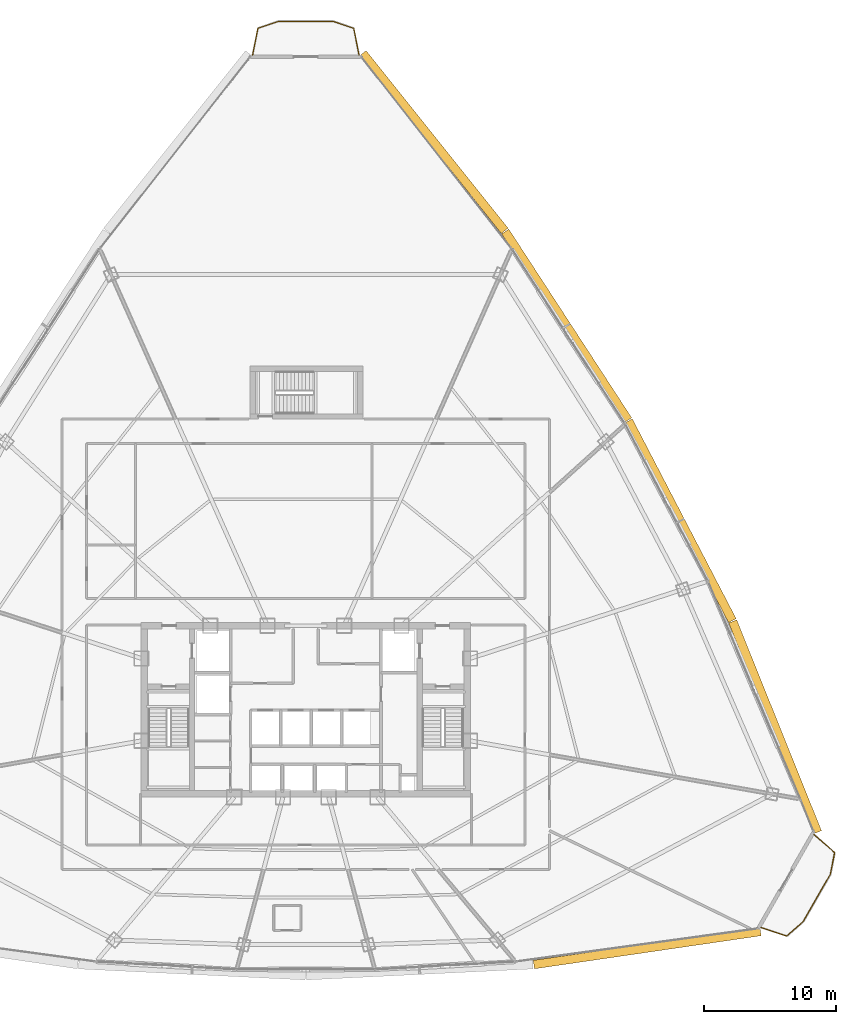
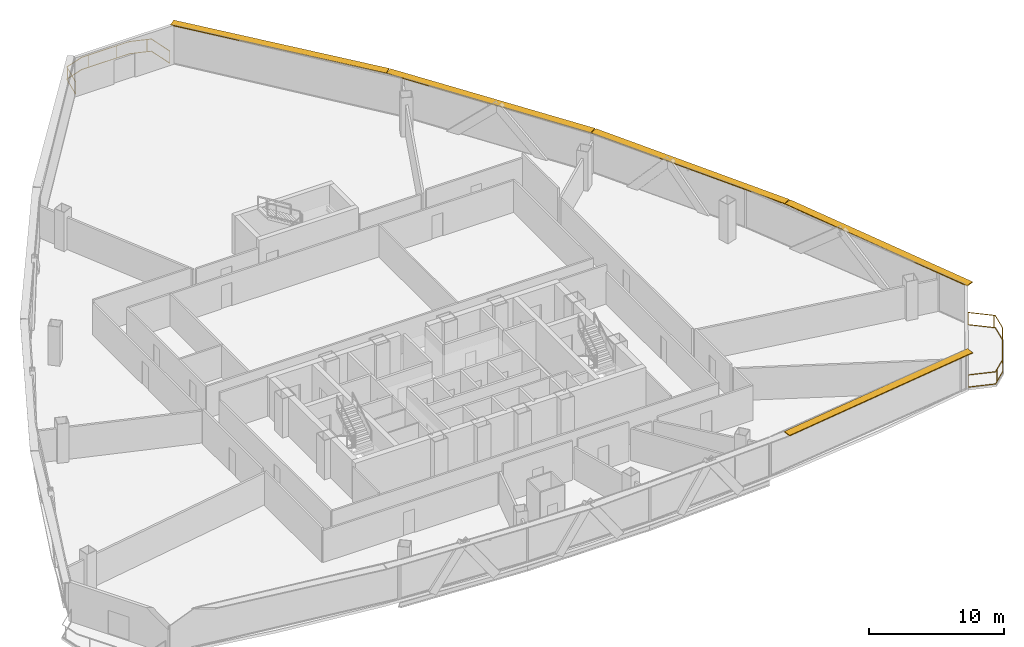
# One storey, part 37 of 37: 5 shading devices, 2 railings.
"""IFC4 building model written with IfcOpenShell, lengths in metres."""

from ifc_helpers import new_model, si_unit, direction, frame, origin, origin_2d, place, context, subcontext, project, spatial, rectangle, extrude, source, transform, mapped, material, layer, layer_set, type_object, element, save


model = new_model("IFC4")

# Units and contexts
model_context = context("Model", 3, precision=1e-05, world=origin(), true_north=direction((0.0, 1.0)))
body_context = subcontext(model_context, "Body", "Model", "MODEL_VIEW")
ifc_project = project(units=[si_unit("LENGTHUNIT", "METRE"), si_unit("AREAUNIT", "SQUARE_METRE"), si_unit("VOLUMEUNIT", "CUBIC_METRE"), si_unit("PLANEANGLEUNIT", "RADIAN"), si_unit("MASSUNIT", "GRAM", prefix="KILO"), si_unit("THERMODYNAMICTEMPERATUREUNIT", "KELVIN"), si_unit("POWERUNIT", "WATT")], contexts=[model_context])

# Site, building, storey
site_placement = place(None, origin())
site = spatial("IfcSite", under=ifc_project, at=site_placement, CompositionType="ELEMENT")
building_placement = place(site_placement, origin())
building = spatial("IfcBuilding", under=site, at=building_placement, Name="Yunzhuo Pagoda Commons", CompositionType="ELEMENT")
storey_placement = place(building_placement, frame((0.0, 0.0, 196.159912109375)))
storey = spatial("IfcBuildingStorey", under=building, at=storey_placement, Name="L49", CompositionType="ELEMENT", Elevation=196.159912109375)

# Railings
ifc_material = material(Name="Anodized aluminium 6063-T6", Category="aluminium")
railing_type = type_object("IfcRailingType", Name="RL-BAL1 Exterior Terrace & Balcony Balustrade 1150", PredefinedType="BALUSTRADE", material=ifc_material)
railing_1_placement = place(storey_placement, frame((82.3671875, 17.419677734375, 0.0)))
element("IfcRailing", 1, at=railing_1_placement, inside=storey, type_object=railing_type, Name="L49 corner balcony balustrade V2", PredefinedType="BALUSTRADE", context=body_context, shape_type="SweptSolid", body=[
    extrude(rectangle(XDim=0.048095703125, YDim=0.048095703125, at=origin_2d()), frame((0.0, 0.0, 1.1259765625), z_axis=(0.947419062147, -0.319995501031, 0.0), x_axis=(0.319995501031, 0.947419062147, 0.0)), (0.0, 0.0, 1.0), 2.05908203125),
    extrude(rectangle(XDim=0.048095703125, YDim=0.048095703125, at=origin_2d()), frame((0.0, 0.0, 0.02392578125), z_axis=(0.947419062147, -0.319995501031, 0.0), x_axis=(0.319995501031, 0.947419062147, 0.0)), (0.0, 0.0, 1.0), 2.05908203125),
    extrude(rectangle(XDim=0.048095703125, YDim=0.048095703125, at=origin_2d()), frame((1.950927734375, -0.658935546875, 1.1259765625), z_axis=(0.748072290348, 0.663617245416, 0.0), x_axis=(-0.663617245416, 0.748072290348, 0.0)), (0.0, 0.0, 1.0), 1.6650390625),
    extrude(rectangle(XDim=0.048095703125, YDim=0.048095703125, at=origin_2d()), frame((1.950927734375, -0.658935546875, 0.02392578125), z_axis=(0.748072290348, 0.663617245416, 0.0), x_axis=(-0.663617245416, 0.748072290348, 0.0)), (0.0, 0.0, 1.0), 1.6650390625),
    extrude(rectangle(XDim=0.048095703125, YDim=0.048095703125, at=origin_2d()), frame((3.196533203125, 0.446044921875, 1.1259765625), z_axis=(0.497919550018, 0.867223224844, 0.0), x_axis=(-0.867223224844, 0.497919550018, 0.0)), (0.0, 0.0, 1.0), 4.1171875),
    extrude(rectangle(XDim=0.048095703125, YDim=0.048095703125, at=origin_2d()), frame((3.196533203125, 0.446044921875, 0.02392578125), z_axis=(0.497919550018, 0.867223224844, 0.0), x_axis=(-0.867223224844, 0.497919550018, 0.0)), (0.0, 0.0, 1.0), 4.1171875),
    extrude(rectangle(XDim=0.048095703125, YDim=0.048095703125, at=origin_2d()), frame((5.24658203125, 4.0166015625, 1.1259765625), z_axis=(0.196031545686, 0.980597589787, 0.0), x_axis=(-0.980597589787, 0.196031545686, 0.0)), (0.0, 0.0, 1.0), 1.6650390625),
    extrude(rectangle(XDim=0.048095703125, YDim=0.048095703125, at=origin_2d()), frame((5.24658203125, 4.0166015625, 0.02392578125), z_axis=(0.196031545686, 0.980597589787, 0.0), x_axis=(-0.980597589787, 0.196031545686, 0.0)), (0.0, 0.0, 1.0), 1.6650390625),
    extrude(rectangle(XDim=0.048095703125, YDim=0.048095703125, at=origin_2d()), frame((5.572998046875, 5.6494140625, 1.1259765625), z_axis=(-0.753933830692, 0.656950362614, 0.0), x_axis=(-0.656950362614, -0.753933830692, 0.0)), (0.0, 0.0, 1.0), 2.05908203125),
    extrude(rectangle(XDim=0.048095703125, YDim=0.048095703125, at=origin_2d()), frame((5.572998046875, 5.6494140625, 0.02392578125), z_axis=(-0.753933830692, 0.656950362614, 0.0), x_axis=(-0.656950362614, -0.753933830692, 0.0)), (0.0, 0.0, 1.0), 2.05908203125),
    extrude(rectangle(XDim=0.0419921875, YDim=0.0419921875, at=origin_2d()), origin(), (0.0, 0.0, 1.0), 1.101806640625),
    extrude(rectangle(XDim=0.0419921875, YDim=0.0419921875, at=origin_2d()), frame((2.205810546875, -0.432861328125, 0.0)), (0.0, 0.0, 1.0), 1.101806640625),
    extrude(rectangle(XDim=0.0419921875, YDim=0.0419921875, at=origin_2d()), frame((3.732177734375, 1.37890625, 0.0)), (0.0, 0.0, 1.0), 1.101806640625),
    extrude(rectangle(XDim=0.0419921875, YDim=0.0419921875, at=origin_2d()), frame((4.92724609375, 3.460205078125, 0.0)), (0.0, 0.0, 1.0), 1.101806640625),
    extrude(rectangle(XDim=0.0419921875, YDim=0.0419921875, at=origin_2d()), frame((5.502685546875, 5.710693359375, 0.0)), (0.0, 0.0, 1.0), 1.101806640625),
    extrude(rectangle(XDim=0.0419921875, YDim=0.0419921875, at=origin_2d()), frame((4.0205078125, 7.002197265625, 0.0)), (0.0, 0.0, 1.0), 1.101806640625),
])
railing_2_placement = place(storey_placement, frame((52.02001953125, 83.297607421875, 0.0)))
element("IfcRailing", 2, at=railing_2_placement, inside=storey, type_object=railing_type, Name="L49 corner balcony balustrade V3", PredefinedType="BALUSTRADE", context=body_context, shape_type="SweptSolid", body=[
    extrude(rectangle(XDim=0.048095703125, YDim=0.048095703125, at=origin_2d()), frame((0.0, 0.0, 1.1259765625), z_axis=(-0.194223156668, 0.980957371864, 0.0), x_axis=(-0.980957371864, -0.194223156668, 0.0)), (0.0, 0.0, 1.0), 2.05908203125),
    extrude(rectangle(XDim=0.048095703125, YDim=0.048095703125, at=origin_2d()), frame((0.0, 0.0, 0.02392578125), z_axis=(-0.194223156668, 0.980957371864, 0.0), x_axis=(-0.980957371864, -0.194223156668, 0.0)), (0.0, 0.0, 1.0), 2.05908203125),
    extrude(rectangle(XDim=0.048095703125, YDim=0.048095703125, at=origin_2d()), frame((-0.39990234375, 2.019775390625, 1.1259765625), z_axis=(-0.947468283032, 0.319849734483, 0.0), x_axis=(-0.319849734483, -0.947468283032, 0.0)), (0.0, 0.0, 1.0), 1.6572265625),
    extrude(rectangle(XDim=0.048095703125, YDim=0.048095703125, at=origin_2d()), frame((-0.39990234375, 2.019775390625, 0.02392578125), z_axis=(-0.947468283032, 0.319849734483, 0.0), x_axis=(-0.319849734483, -0.947468283032, 0.0)), (0.0, 0.0, 1.0), 1.6572265625),
    extrude(rectangle(XDim=0.048095703125, YDim=0.048095703125, at=origin_2d()), frame((-1.969970703125, 2.5498046875, 1.1259765625), z_axis=(-1.0, 0.0, 0.0), x_axis=(0.0, -1.0, 0.0)), (0.0, 0.0, 1.0), 4.10009765625),
    extrude(rectangle(XDim=0.048095703125, YDim=0.048095703125, at=origin_2d()), frame((-1.969970703125, 2.5498046875, 0.02392578125), z_axis=(-1.0, 0.0, 0.0), x_axis=(0.0, -1.0, 0.0)), (0.0, 0.0, 1.0), 4.10009765625),
    extrude(rectangle(XDim=0.048095703125, YDim=0.048095703125, at=origin_2d()), frame((-6.070068359375, 2.5498046875, 1.1259765625), z_axis=(-0.947468283032, -0.319849734483, 0.0), x_axis=(0.319849734483, -0.947468283032, 0.0)), (0.0, 0.0, 1.0), 1.6572265625),
    extrude(rectangle(XDim=0.048095703125, YDim=0.048095703125, at=origin_2d()), frame((-6.070068359375, 2.5498046875, 0.02392578125), z_axis=(-0.947468283032, -0.319849734483, 0.0), x_axis=(0.319849734483, -0.947468283032, 0.0)), (0.0, 0.0, 1.0), 1.6572265625),
    extrude(rectangle(XDim=0.048095703125, YDim=0.048095703125, at=origin_2d()), frame((-7.64013671875, 2.019775390625, 1.1259765625), z_axis=(-0.194223156668, -0.980957371864, 0.0), x_axis=(0.980957371864, -0.194223156668, 0.0)), (0.0, 0.0, 1.0), 2.05908203125),
    extrude(rectangle(XDim=0.048095703125, YDim=0.048095703125, at=origin_2d()), frame((-7.64013671875, 2.019775390625, 0.02392578125), z_axis=(-0.194223156668, -0.980957371864, 0.0), x_axis=(0.980957371864, -0.194223156668, 0.0)), (0.0, 0.0, 1.0), 2.05908203125),
    extrude(rectangle(XDim=0.0419921875, YDim=0.0419921875, at=origin_2d()), origin(), (0.0, 0.0, 1.0), 1.101806640625),
    extrude(rectangle(XDim=0.0419921875, YDim=0.0419921875, at=origin_2d()), frame((-0.722900390625, 2.12890625, 0.0)), (0.0, 0.0, 1.0), 1.101806640625),
    extrude(rectangle(XDim=0.0419921875, YDim=0.0419921875, at=origin_2d()), frame((-3.053955078125, 2.5498046875, 0.0)), (0.0, 0.0, 1.0), 1.101806640625),
    extrude(rectangle(XDim=0.0419921875, YDim=0.0419921875, at=origin_2d()), frame((-5.453857421875, 2.5498046875, 0.0)), (0.0, 0.0, 1.0), 1.101806640625),
    extrude(rectangle(XDim=0.0419921875, YDim=0.0419921875, at=origin_2d()), frame((-7.664794921875, 1.8955078125, 0.0)), (0.0, 0.0, 1.0), 1.101806640625),
    extrude(rectangle(XDim=0.0419921875, YDim=0.0419921875, at=origin_2d()), frame((-8.0400390625, 0.0, 0.0)), (0.0, 0.0, 1.0), 1.101806640625),
])

# Shading devices
ifc_layer = layer(ifc_material, 0.080078125)
ifc_layer_set = layer_set([ifc_layer], Name="Anodized aluminium 6063-T6")
shading_device_type = type_object("IfcShadingDeviceType", Name="SH-SUN1 Pagoda Horizontal Sunshade Eave 650", PredefinedType="USERDEFINED", material=ifc_layer_set)
shared_shape_1 = source(origin(), body_context, "Body", "SweptSolid", [
    extrude(rectangle(XDim=17.3056640625, YDim=0.64990234375, at=origin_2d()), origin(), (0.0, 0.0, 1.0), 0.080078125),
])
shading_device_1_placement = place(storey_placement, frame((73.780029296875, 15.860107421875, 3.4599609375), z_axis=(0.0, 0.0, 1.0), x_axis=(0.989510666697, 0.144459823108, 0.0)))
element("IfcShadingDevice", 3, at=shading_device_1_placement, inside=storey, type_object=shading_device_type, Name="L49 horizontal pagoda sunshade eave F1.4", ObjectType="SUNSHADE", PredefinedType="USERDEFINED", context=body_context, shape_type="MappedRepresentation", body=[
    mapped(shared_shape_1, transform((0.0, 0.0, 0.0), scale=1.0)),
])
shared_shape_2 = source(origin(), body_context, "Body", "SweptSolid", [
    extrude(rectangle(XDim=17.16650390625, YDim=0.64990234375, at=origin_2d()), origin(), (0.0, 0.0, 1.0), 0.080078125),
])
for number, where, z_axis, x_axis, name in (
    (4, (83.441162109375, 32.56298828125, 3.4599609375), (0.0, 0.0, 1.0), (-0.372987782576, 0.927836253899, 0.0), "L49 horizontal pagoda sunshade eave F2.1"),
    (5, (57.660400390625, 76.728271484375, 3.4599609375), (0.0, 0.0, 1.0), (-0.624520471688, 0.781008438138, 0.0), "L49 horizontal pagoda sunshade eave F2.4"),
):
    element("IfcShadingDevice", number, at=place(storey_placement, frame(where, z_axis=z_axis, x_axis=x_axis)), inside=storey, type_object=shading_device_type, Name=name, ObjectType="SUNSHADE", PredefinedType="USERDEFINED", context=body_context, shape_type="MappedRepresentation", body=[
        mapped(shared_shape_2, transform((0.0, 0.0, 0.0), scale=1.0)),
    ])
shared_shape_3 = source(origin(), body_context, "Body", "SweptSolid", [
    extrude(rectangle(XDim=17.003662109375, YDim=0.64990234375, at=origin_2d()), origin(), (0.0, 0.0, 1.0), 0.080078125),
])
shading_device_2_placement = place(storey_placement, frame((76.292236328125, 48.1279296875, 3.4599609375), z_axis=(0.0, 0.0, 1.0), x_axis=(-0.461206683033, 0.88729273384, 0.0)))
element("IfcShadingDevice", 6, at=shading_device_2_placement, inside=storey, type_object=shading_device_type, Name="L49 horizontal pagoda sunshade eave F2.2", ObjectType="SUNSHADE", PredefinedType="USERDEFINED", context=body_context, shape_type="MappedRepresentation", body=[
    mapped(shared_shape_3, transform((0.0, 0.0, 0.0), scale=1.0)),
])
shared_shape_4 = source(origin(), body_context, "Body", "SweptSolid", [
    extrude(rectangle(XDim=17.00341796875, YDim=0.64990234375, at=origin_2d()), origin(), (0.0, 0.0, 1.0), 0.080078125),
])
shading_device_3_placement = place(storey_placement, frame((67.698486328125, 62.849853515625, 3.4599609375), z_axis=(0.0, 0.0, 1.0), x_axis=(-0.545838756973, 0.837890238269, 0.0)))
element("IfcShadingDevice", 7, at=shading_device_3_placement, inside=storey, type_object=shading_device_type, Name="L49 horizontal pagoda sunshade eave F2.3", ObjectType="SUNSHADE", PredefinedType="USERDEFINED", context=body_context, shape_type="MappedRepresentation", body=[
    mapped(shared_shape_4, transform((0.0, 0.0, 0.0), scale=1.0)),
])

save(model, "model.ifc")
